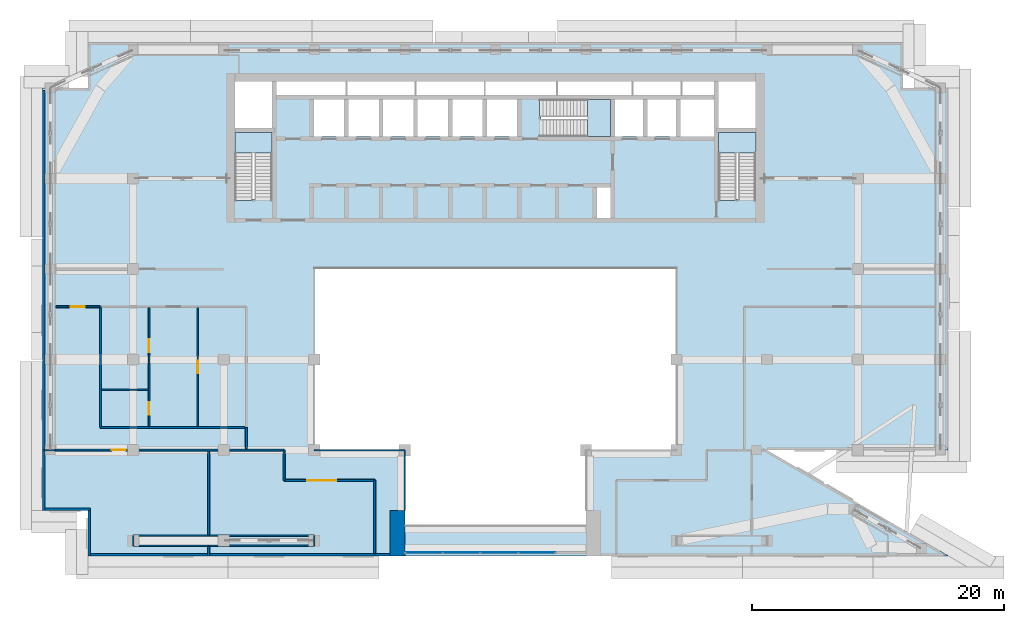
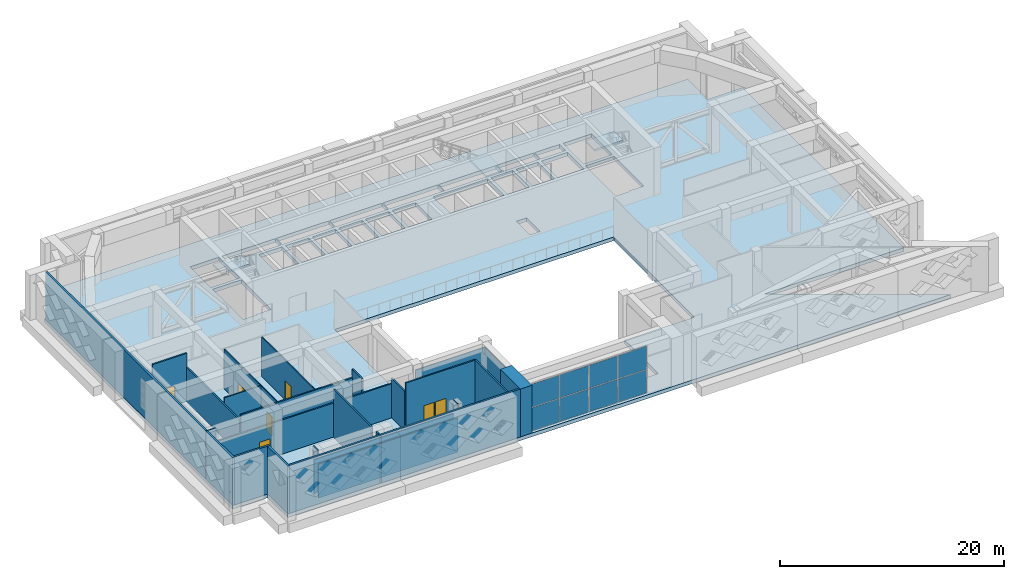
# One storey, part 8 of 20: 25 walls, 8 plates, 7 doors, 4 slabs, 7 openings, 4 elements without a shape of their own.
"""IFC4 building model written with IfcOpenShell, lengths in metres."""

from ifc_helpers import new_model, si_unit, direction, frame, frame_2d, origin, origin_2d, place, context, subcontext, project, spatial, polyline, rectangle, outline, extrude, source, transform, mapped, material, layer, layer_set, type_object, element, fill, aggregate, save


model = new_model("IFC4")

# Units and contexts
model_context = context("Model", 3, precision=1e-05, world=origin(), true_north=direction((0.0, 1.0)))
body_context = subcontext(model_context, "Body", "Model", "MODEL_VIEW")
ifc_project = project(units=[si_unit("LENGTHUNIT", "METRE"), si_unit("AREAUNIT", "SQUARE_METRE"), si_unit("VOLUMEUNIT", "CUBIC_METRE"), si_unit("PLANEANGLEUNIT", "RADIAN"), si_unit("MASSUNIT", "GRAM", prefix="KILO")], contexts=[model_context])

# Site, building, storey
site_placement = place(None, origin())
site = spatial("IfcSite", under=ifc_project, at=site_placement, CompositionType="ELEMENT")
building_placement = place(site_placement, origin())
building = spatial("IfcBuilding", under=site, at=building_placement, Name="Saffron Iwan Residences", CompositionType="ELEMENT")
storey_placement = place(building_placement, frame((0.0, 0.0, 206.0)))
storey = spatial("IfcBuildingStorey", under=building, at=storey_placement, Name="L55", CompositionType="ELEMENT", Elevation=206.0)

# Slab
ifc_material_1 = material(Name="Concrete C40/50", Category="concrete")
ifc_layer_1 = layer(ifc_material_1, 0.39990234375)
ifc_layer_set_1 = layer_set([ifc_layer_1], Name="Concrete C40/50")
slab_type_1 = type_object("IfcSlabType", Name="PT PLATE 400 C40/50", PredefinedType="FLOOR", material=ifc_layer_set_1)
slab_1_placement = place(storey_placement, frame((0.0, 0.0, -0.400146484375)))
element("IfcSlab", 1, at=slab_1_placement, inside=storey, type_object=slab_type_1, Name="Floor slab L55", PredefinedType="FLOOR", context=body_context, shape_type="SweptSolid", body=[
    extrude(outline(polyline([(14.39990234375, 43.199951171875), (14.39990234375, 76.800048828125), (18.0, 76.800048828125), (18.0, 80.39990234375), (82.800048828125, 80.39990234375), (82.800048828125, 76.800048828125), (86.39990234375, 76.800048828125), (86.39990234375, 48.0), (72.0, 48.0), (86.39990234375, 39.60009765625), (18.0, 39.60009765625), (18.0, 43.199951171875), (14.39990234375, 43.199951171875)]), holes=[polyline([(64.800048828125, 48.0), (64.800048828125, 62.39990234375), (36.0, 62.39990234375), (36.0, 48.0), (43.199951171875, 48.0), (43.199951171875, 42.0), (57.60009765625, 42.0), (57.60009765625, 48.0), (64.800048828125, 48.0)]), polyline([(29.699951171875, 73.25), (29.699951171875, 67.949951171875), (29.699951171875, 67.8505859375), (31.10009765625, 67.8505859375), (31.10009765625, 67.949951171875), (32.64990234375, 67.949951171875), (32.64990234375, 73.25), (29.699951171875, 73.25)]), polyline([(38.375, 75.875), (35.97509765625, 75.875), (35.97509765625, 72.925048828125), (38.375, 72.925048828125), (38.375, 75.875)]), polyline([(41.125, 75.875), (38.72509765625, 75.875), (38.72509765625, 72.925048828125), (41.125, 72.925048828125), (41.125, 75.875)]), polyline([(43.875, 72.925048828125), (43.875, 75.875), (41.47509765625, 75.875), (41.47509765625, 72.925048828125), (43.875, 72.925048828125)]), polyline([(46.625, 72.925048828125), (46.625, 75.875), (44.22509765625, 75.875), (44.22509765625, 72.925048828125), (46.625, 72.925048828125)]), polyline([(49.375, 75.875), (46.97509765625, 75.875), (46.97509765625, 72.925048828125), (49.375, 72.925048828125), (49.375, 75.875)]), polyline([(52.125, 72.925048828125), (52.125, 75.875), (49.72509765625, 75.875), (49.72509765625, 72.925048828125), (52.125, 72.925048828125)]), polyline([(32.64990234375, 73.60009765625), (32.64990234375, 77.300048828125), (29.699951171875, 77.300048828125), (29.699951171875, 73.60009765625), (32.64990234375, 73.60009765625)]), polyline([(38.5, 77.300048828125), (33.0, 77.300048828125), (33.0, 76.22509765625), (38.5, 76.22509765625), (38.5, 77.300048828125)]), polyline([(44.0, 76.22509765625), (44.0, 77.300048828125), (38.60009765625, 77.300048828125), (38.60009765625, 76.22509765625), (44.0, 76.22509765625)]), polyline([(49.5, 76.22509765625), (49.5, 77.300048828125), (44.10009765625, 77.300048828125), (44.10009765625, 76.22509765625), (49.5, 76.22509765625)]), polyline([(59.550048828125, 68.875), (58.47509765625, 68.875), (58.47509765625, 66.449951171875), (59.550048828125, 66.449951171875), (59.550048828125, 68.875)]), polyline([(68.14990234375, 73.25), (68.14990234375, 67.949951171875), (68.14990234375, 67.8505859375), (69.550048828125, 67.8505859375), (69.550048828125, 67.949951171875), (71.10009765625, 67.949951171875), (71.10009765625, 73.25), (68.14990234375, 73.25)]), polyline([(54.02490234375, 74.47509765625), (54.02490234375, 72.925048828125), (59.550048828125, 72.925048828125), (59.550048828125, 75.875), (54.02490234375, 75.875), (53.925537109375, 75.875), (53.925537109375, 74.47509765625), (54.02490234375, 74.47509765625)]), polyline([(62.14990234375, 72.925048828125), (62.14990234375, 75.875), (59.89990234375, 75.875), (59.89990234375, 72.925048828125), (62.14990234375, 72.925048828125)]), polyline([(64.75, 72.925048828125), (64.75, 75.875), (62.5, 75.875), (62.5, 72.925048828125), (64.75, 72.925048828125)]), polyline([(67.800048828125, 75.875), (65.10009765625, 75.875), (65.10009765625, 72.925048828125), (67.800048828125, 72.925048828125), (67.800048828125, 75.875)]), polyline([(71.10009765625, 73.60009765625), (71.10009765625, 77.300048828125), (68.14990234375, 77.300048828125), (68.14990234375, 73.60009765625), (71.10009765625, 73.60009765625)]), polyline([(55.25, 76.22509765625), (55.25, 77.300048828125), (49.60009765625, 77.300048828125), (49.60009765625, 76.22509765625), (55.25, 76.22509765625)]), polyline([(61.25, 77.300048828125), (55.35009765625, 77.300048828125), (55.35009765625, 76.22509765625), (61.25, 76.22509765625), (61.25, 77.300048828125)]), polyline([(65.14990234375, 76.22509765625), (65.14990234375, 77.300048828125), (61.35009765625, 77.300048828125), (61.35009765625, 76.22509765625), (65.14990234375, 76.22509765625)]), polyline([(67.800048828125, 76.22509765625), (67.800048828125, 77.300048828125), (65.25, 77.300048828125), (65.25, 76.22509765625), (67.800048828125, 76.22509765625)])]), origin(), (0.0, 0.0, 1.0), 0.400146484375),
])

# Stair, slab
ifc_material_2 = material(Name="Concrete C50/60", Category="concrete")
stair_type = type_object("IfcStairType", Name="Stair ST-CORE", PredefinedType="HALF_TURN_STAIR", material=ifc_material_2)
stair_1_placement = place(storey_placement, origin())
stair_1 = element("IfcStair", 2, at=stair_1_placement, inside=storey, type_object=stair_type, Name="L55 Exit Stair ST-W", PredefinedType="HALF_TURN_STAIR")
ifc_layer_2 = layer(ifc_material_2, 0.199951171875)
ifc_layer_set_2 = layer_set([ifc_layer_2], Name="Concrete C50/60")
slab_type_2 = type_object("IfcSlabType", Name="Stair landing SL-RC", PredefinedType="LANDING", material=ifc_layer_set_2)
slab_2_placement = place(storey_placement, frame((0.0, 0.0, 2.5498046875)))
slab_2 = element("IfcSlab", 3, at=slab_2_placement, type_object=slab_type_2, Name="ST-W landing 1", PredefinedType="LANDING", context=body_context, shape_type="SweptSolid", body=[
    extrude(outline(polyline([(32.64990234375, 71.6298828125), (32.64990234375, 73.25), (29.699951171875, 73.25), (29.699951171875, 71.6298828125), (32.64990234375, 71.6298828125)])), origin(), (0.0, 0.0, 1.0), 0.2001953125),
])
aggregate(stair_1, [slab_2])

stair_2_placement = place(storey_placement, origin())
stair_2 = element("IfcStair", 4, at=stair_2_placement, inside=storey, type_object=stair_type, Name="L55 Exit Stair ST-C", PredefinedType="HALF_TURN_STAIR")
slab_3_placement = place(storey_placement, frame((0.0, 0.0, 2.5498046875)))
slab_3 = element("IfcSlab", 5, at=slab_3_placement, type_object=slab_type_2, Name="ST-C landing 1", PredefinedType="LANDING", context=body_context, shape_type="SweptSolid", body=[
    extrude(outline(polyline([(57.705078125, 72.925048828125), (59.550048828125, 72.925048828125), (59.550048828125, 75.875), (57.705078125, 75.875), (57.705078125, 72.925048828125)])), origin(), (0.0, 0.0, 1.0), 0.2001953125),
])
aggregate(stair_2, [slab_3])

stair_3_placement = place(storey_placement, origin())
stair_3 = element("IfcStair", 6, at=stair_3_placement, inside=storey, type_object=stair_type, Name="L55 Exit Stair ST-E", PredefinedType="HALF_TURN_STAIR")
slab_4_placement = place(storey_placement, frame((0.0, 0.0, 2.5498046875)))
slab_4 = element("IfcSlab", 7, at=slab_4_placement, type_object=slab_type_2, Name="ST-E landing 1", PredefinedType="LANDING", context=body_context, shape_type="SweptSolid", body=[
    extrude(outline(polyline([(71.10009765625, 71.6298828125), (71.10009765625, 73.25), (68.14990234375, 73.25), (68.14990234375, 71.6298828125), (71.10009765625, 71.6298828125)])), origin(), (0.0, 0.0, 1.0), 0.2001953125),
])
aggregate(stair_3, [slab_4])

# Curtain wall, plates
ifc_material_3 = material(Name="Clear glass, laminated double glazed", Category="glass")
ifc_layer_3 = layer(ifc_material_3, 0.199951171875)
ifc_layer_set_3 = layer_set([ifc_layer_3], Name="Clear glass, laminated double glazed")
curtain_wall_type = type_object("IfcCurtainWallType", Name="CW-B IWAN PORTAL", PredefinedType="NOTDEFINED", material=ifc_layer_set_3)
curtain_wall_placement = place(storey_placement, origin())
curtain_wall = element("IfcCurtainWall", 8, at=curtain_wall_placement, inside=storey, type_object=curtain_wall_type, Name="Iwan portal glazing L55.1", PredefinedType="NOTDEFINED")
ifc_layer_4 = layer(ifc_material_3, 0.028076171875)
ifc_layer_set_4 = layer_set([ifc_layer_4], Name="Clear glass, laminated double glazed")
plate_type = type_object("IfcPlateType", Name="CW-B PANEL 28", PredefinedType="CURTAIN_PANEL", material=ifc_layer_set_4)
shared_shape_1 = source(origin(), body_context, "Body", "SweptSolid", [
    extrude(rectangle(XDim=2.909912109375, YDim=0.028076171875, at=origin_2d()), origin(), (0.0, 0.0, 1.0), 2.52001953125),
])
plate_1_placement = place(storey_placement, frame((44.715087890625, 39.85009765625, 0.06005859375), z_axis=(0.0, 0.0, 1.0), x_axis=(1.0, 0.0, 0.0)))
plate_1 = element("IfcPlate", 9, at=plate_1_placement, type_object=plate_type, Name="CW-B panel 1.1", PredefinedType="CURTAIN_PANEL", context=body_context, shape_type="MappedRepresentation", body=[
    mapped(shared_shape_1, transform((0.0, 0.0, 0.0))),
])
plate_2_placement = place(storey_placement, frame((44.715087890625, 39.85009765625, 2.639892578125), z_axis=(0.0, 0.0, 1.0), x_axis=(1.0, 0.0, 0.0)))
plate_2 = element("IfcPlate", 10, at=plate_2_placement, type_object=plate_type, Name="CW-B panel 1.2", PredefinedType="CURTAIN_PANEL", context=body_context, shape_type="MappedRepresentation", body=[
    mapped(shared_shape_1, transform((0.0, 0.0, 0.0))),
])
plate_3_placement = place(storey_placement, frame((53.68505859375, 39.85009765625, 0.06005859375), z_axis=(0.0, 0.0, 1.0), x_axis=(1.0, 0.0, 0.0)))
plate_3 = element("IfcPlate", 11, at=plate_3_placement, type_object=plate_type, Name="CW-B panel 4.1", PredefinedType="CURTAIN_PANEL", context=body_context, shape_type="MappedRepresentation", body=[
    mapped(shared_shape_1, transform((0.0, 0.0, 0.0))),
])
plate_4_placement = place(storey_placement, frame((53.68505859375, 39.85009765625, 2.639892578125), z_axis=(0.0, 0.0, 1.0), x_axis=(1.0, 0.0, 0.0)))
plate_4 = element("IfcPlate", 12, at=plate_4_placement, type_object=plate_type, Name="CW-B panel 4.2", PredefinedType="CURTAIN_PANEL", context=body_context, shape_type="MappedRepresentation", body=[
    mapped(shared_shape_1, transform((0.0, 0.0, 0.0))),
])
shared_shape_2 = source(origin(), body_context, "Body", "SweptSolid", [
    extrude(rectangle(XDim=2.93994140625, YDim=0.028076171875, at=origin_2d()), origin(), (0.0, 0.0, 1.0), 2.52001953125),
])
plate_5_placement = place(storey_placement, frame((47.699951171875, 39.85009765625, 0.06005859375), z_axis=(0.0, 0.0, 1.0), x_axis=(1.0, 0.0, 0.0)))
plate_5 = element("IfcPlate", 13, at=plate_5_placement, type_object=plate_type, Name="CW-B panel 2.1", PredefinedType="CURTAIN_PANEL", context=body_context, shape_type="MappedRepresentation", body=[
    mapped(shared_shape_2, transform((0.0, 0.0, 0.0))),
])
plate_6_placement = place(storey_placement, frame((47.699951171875, 39.85009765625, 2.639892578125), z_axis=(0.0, 0.0, 1.0), x_axis=(1.0, 0.0, 0.0)))
plate_6 = element("IfcPlate", 14, at=plate_6_placement, type_object=plate_type, Name="CW-B panel 2.2", PredefinedType="CURTAIN_PANEL", context=body_context, shape_type="MappedRepresentation", body=[
    mapped(shared_shape_2, transform((0.0, 0.0, 0.0))),
])
plate_7_placement = place(storey_placement, frame((50.699951171875, 39.85009765625, 0.06005859375), z_axis=(0.0, 0.0, 1.0), x_axis=(1.0, 0.0, 0.0)))
plate_7 = element("IfcPlate", 15, at=plate_7_placement, type_object=plate_type, Name="CW-B panel 3.1", PredefinedType="CURTAIN_PANEL", context=body_context, shape_type="MappedRepresentation", body=[
    mapped(shared_shape_2, transform((0.0, 0.0, 0.0))),
])
plate_8_placement = place(storey_placement, frame((50.699951171875, 39.85009765625, 2.639892578125), z_axis=(0.0, 0.0, 1.0), x_axis=(1.0, 0.0, 0.0)))
plate_8 = element("IfcPlate", 16, at=plate_8_placement, type_object=plate_type, Name="CW-B panel 3.2", PredefinedType="CURTAIN_PANEL", context=body_context, shape_type="MappedRepresentation", body=[
    mapped(shared_shape_2, transform((0.0, 0.0, 0.0))),
])
aggregate(curtain_wall, [plate_1, plate_2, plate_5, plate_6, plate_7, plate_8, plate_3, plate_4])

# Wall, openings, doors
ifc_material_4 = material(Name="Concrete blockwork", Category="masonry")
ifc_layer_5 = layer(ifc_material_4, 0.14990234375)
ifc_layer_set_5 = layer_set([ifc_layer_5], Name="Concrete blockwork")
wall_type_1 = type_object("IfcWallType", Name="Blockwork partition 150", PredefinedType="PARTITIONING", material=ifc_layer_set_5)
wall_1_placement = place(storey_placement, frame((33.60009765625, 45.60009765625, 0.0), z_axis=(0.0, 0.0, 1.0), x_axis=(1.0, 0.0, 0.0)))
wall_1 = element("IfcWall", 17, at=wall_1_placement, inside=storey, type_object=wall_type_1, Name="W-L55-006", PredefinedType="PARTITIONING", context=body_context, shape_type="SweptSolid", body=[
    extrude(rectangle(XDim=7.199951171875, YDim=0.14990234375, at=frame_2d((3.60009765625, 0.0))), origin(), (0.0, 0.0, 1.0), 5.219970703125),
])
opening_1_placement = place(wall_1_placement, frame((3.050048828125, 0.0, 0.0)))
opening_1 = element("IfcOpeningElement", 18, at=opening_1_placement, cuts=wall_1, Name="Opening L55.04", PredefinedType="OPENING", context=body_context, shape_type="SweptSolid", body=[
    extrude(rectangle(XDim=1.10009765625, YDim=2.10009765625, at=frame_2d((0.550048828125, 1.050048828125))), frame((0.0, 0.0849609375, 0.0), z_axis=(0.0, -1.0, 0.0), x_axis=(1.0, 0.0, 0.0)), (0.0, 0.0, 1.0), 0.169921875),
])
opening_2_placement = place(wall_1_placement, frame((1.85009765625, 0.0, 0.0)))
opening_2 = element("IfcOpeningElement", 19, at=opening_2_placement, cuts=wall_1, Name="Opening L55.05", PredefinedType="OPENING", context=body_context, shape_type="SweptSolid", body=[
    extrude(rectangle(XDim=1.10009765625, YDim=2.10009765625, at=frame_2d((0.550048828125, 1.050048828125))), frame((0.0, 0.0849609375, 0.0), z_axis=(0.0, -1.0, 0.0), x_axis=(1.0, 0.0, 0.0)), (0.0, 0.0, 1.0), 0.169921875),
])
ifc_material_5 = material(Name="Steel", Category="steel")
door_type_1 = type_object("IfcDoorType", Name="Fire door 1100x2100", OperationType="NOTDEFINED", PredefinedType="DOOR", material=ifc_material_5)
door_1_placement = place(opening_1_placement, origin())
door_1 = element("IfcDoor", 20, at=door_1_placement, inside=storey, type_object=door_type_1, Name="D-L55-004", OperationType="SINGLE_SWING_RIGHT", OverallHeight=2.10009765625, OverallWidth=1.10009765625, PredefinedType="DOOR", context=body_context, shape_type="SweptSolid", body=[
    extrude(rectangle(XDim=1.10009765625, YDim=2.10009765625, at=frame_2d((0.550048828125, 1.050048828125))), frame((0.0, 0.02490234375, 0.0), z_axis=(0.0, -1.0, 0.0), x_axis=(1.0, 0.0, 0.0)), (0.0, 0.0, 1.0), 0.050048828125),
])
fill(opening_1, door_1)
door_2_placement = place(opening_2_placement, origin())
door_2 = element("IfcDoor", 21, at=door_2_placement, inside=storey, type_object=door_type_1, Name="D-L55-005", OperationType="SINGLE_SWING_LEFT", OverallHeight=2.10009765625, OverallWidth=1.10009765625, PredefinedType="DOOR", context=body_context, shape_type="SweptSolid", body=[
    extrude(rectangle(XDim=1.10009765625, YDim=2.10009765625, at=frame_2d((0.550048828125, 1.050048828125))), frame((0.0, 0.02490234375, 0.0), z_axis=(0.0, -1.0, 0.0), x_axis=(1.0, 0.0, 0.0)), (0.0, 0.0, 1.0), 0.050048828125),
])
fill(opening_2, door_2)

# Wall, opening, door
wall_2_placement = place(storey_placement, frame((15.39990234375, 48.0, 0.0), z_axis=(0.0, 0.0, 1.0), x_axis=(1.0, 0.0, 0.0)))
wall_2 = element("IfcWall", 22, at=wall_2_placement, inside=storey, type_object=wall_type_1, Name="W-L55-011", PredefinedType="PARTITIONING", context=body_context, shape_type="SweptSolid", body=[
    extrude(rectangle(XDim=18.2001953125, YDim=0.14990234375, at=frame_2d((9.10009765625, 0.0))), origin(), (0.0, 0.0, 1.0), 3.719970703125),
])
opening_3_placement = place(wall_2_placement, frame((4.5, 0.0, 0.0)))
opening_3 = element("IfcOpeningElement", 23, at=opening_3_placement, cuts=wall_2, Name="Opening L55.11", PredefinedType="OPENING", context=body_context, shape_type="SweptSolid", body=[
    extrude(rectangle(XDim=1.10009765625, YDim=2.10009765625, at=frame_2d((0.550048828125, 1.050048828125))), frame((0.0, 0.0849609375, 0.0), z_axis=(0.0, -1.0, 0.0), x_axis=(1.0, 0.0, 0.0)), (0.0, 0.0, 1.0), 0.169921875),
])
door_3_placement = place(opening_3_placement, origin())
door_3 = element("IfcDoor", 24, at=door_3_placement, inside=storey, type_object=door_type_1, Name="D-L55-011", OperationType="SINGLE_SWING_LEFT", OverallHeight=2.10009765625, OverallWidth=1.10009765625, PredefinedType="DOOR", context=body_context, shape_type="SweptSolid", body=[
    extrude(rectangle(XDim=1.10009765625, YDim=2.10009765625, at=frame_2d((0.550048828125, 1.050048828125))), frame((0.0, 0.02490234375, 0.0), z_axis=(0.0, -1.0, 0.0), x_axis=(1.0, 0.0, 0.0)), (0.0, 0.0, 1.0), 0.050048828125),
])
fill(opening_3, door_3)

# Wall
wall_3_placement = place(storey_placement, frame((19.0, 49.800048828125, 0.0), z_axis=(0.0, 0.0, 1.0), x_axis=(1.0, 0.0, 0.0)))
element("IfcWall", 25, at=wall_3_placement, inside=storey, type_object=wall_type_1, Name="W-L55-013", PredefinedType="PARTITIONING", context=body_context, shape_type="SweptSolid", body=[
    extrude(rectangle(XDim=11.60009765625, YDim=0.14990234375, at=frame_2d((5.800048828125, 0.0))), origin(), (0.0, 0.0, 1.0), 4.320068359375),
])

# Wall, opening, door
wall_4_placement = place(storey_placement, frame((15.449951171875, 59.39990234375, 0.0), z_axis=(0.0, 0.0, 1.0), x_axis=(1.0, 0.0, 0.0)))
wall_4 = element("IfcWall", 26, at=wall_4_placement, inside=storey, type_object=wall_type_1, Name="W-L55-016", PredefinedType="PARTITIONING", context=body_context, shape_type="SweptSolid", body=[
    extrude(rectangle(XDim=3.550048828125, YDim=0.14990234375, at=frame_2d((1.77490234375, 0.0))), origin(), (0.0, 0.0, 1.0), 5.219970703125),
])
opening_4_placement = place(wall_4_placement, frame((1.199951171875, 0.0, 0.0)))
opening_4 = element("IfcOpeningElement", 27, at=opening_4_placement, cuts=wall_4, Name="Opening L55.06", PredefinedType="OPENING", context=body_context, shape_type="SweptSolid", body=[
    extrude(rectangle(XDim=1.10009765625, YDim=2.10009765625, at=frame_2d((0.550048828125, 1.050048828125))), frame((0.0, 0.0849609375, 0.0), z_axis=(0.0, -1.0, 0.0), x_axis=(1.0, 0.0, 0.0)), (0.0, 0.0, 1.0), 0.169921875),
])
door_4_placement = place(opening_4_placement, origin())
door_4 = element("IfcDoor", 28, at=door_4_placement, inside=storey, type_object=door_type_1, Name="D-L55-006", OperationType="SINGLE_SWING_LEFT", OverallHeight=2.10009765625, OverallWidth=1.10009765625, PredefinedType="DOOR", context=body_context, shape_type="SweptSolid", body=[
    extrude(rectangle(XDim=1.10009765625, YDim=2.10009765625, at=frame_2d((0.550048828125, 1.050048828125))), frame((0.0, 0.02490234375, 0.0), z_axis=(0.0, -1.0, 0.0), x_axis=(1.0, 0.0, 0.0)), (0.0, 0.0, 1.0), 0.050048828125),
])
fill(opening_4, door_4)

# Walls
wall_5_placement = place(storey_placement, frame((19.0, 49.800048828125, 0.0), z_axis=(0.0, 0.0, 1.0), x_axis=(0.0, 1.0, 0.0)))
element("IfcWall", 29, at=wall_5_placement, inside=storey, type_object=wall_type_1, Name="W-L55-023", PredefinedType="PARTITIONING", context=body_context, shape_type="SweptSolid", body=[
    extrude(rectangle(XDim=9.599853515625, YDim=0.14990234375, at=frame_2d((4.7998046875, 0.0))), origin(), (0.0, 0.0, 1.0), 3.719970703125),
])
wall_6_placement = place(storey_placement, frame((27.60009765625, 39.60009765625, 0.0), z_axis=(0.0, 0.0, 1.0), x_axis=(0.0, 1.0, 0.0)))
element("IfcWall", 30, at=wall_6_placement, inside=storey, type_object=wall_type_1, Name="W-L55-027", PredefinedType="PARTITIONING", context=body_context, shape_type="SweptSolid", body=[
    extrude(rectangle(XDim=0.75, YDim=0.14990234375, at=frame_2d((0.375, 0.0))), origin(), (0.0, 0.0, 1.0), 5.219970703125),
])
wall_7_placement = place(storey_placement, frame((27.60009765625, 41.25, 0.0), z_axis=(0.0, 0.0, 1.0), x_axis=(0.0, 1.0, 0.0)))
element("IfcWall", 31, at=wall_7_placement, inside=storey, type_object=wall_type_1, Name="W-L55-028", PredefinedType="PARTITIONING", context=body_context, shape_type="SweptSolid", body=[
    extrude(rectangle(XDim=6.675048828125, YDim=0.14990234375, at=frame_2d((3.33740234375, 0.0))), origin(), (0.0, 0.0, 1.0), 5.219970703125),
])
wall_8_placement = place(storey_placement, frame((30.60009765625, 48.074951171875, 0.0), z_axis=(0.0, 0.0, 1.0), x_axis=(0.0, 1.0, 0.0)))
element("IfcWall", 32, at=wall_8_placement, inside=storey, type_object=wall_type_1, Name="W-L55-031", PredefinedType="PARTITIONING", context=body_context, shape_type="SweptSolid", body=[
    extrude(rectangle(XDim=1.72509765625, YDim=0.14990234375, at=frame_2d((0.862548828125, 0.0))), origin(), (0.0, 0.0, 1.0), 5.219970703125),
])
wall_9_placement = place(storey_placement, frame((33.60009765625, 45.60009765625, 0.0), z_axis=(0.0, 0.0, 1.0), x_axis=(0.0, 1.0, 0.0)))
element("IfcWall", 33, at=wall_9_placement, inside=storey, type_object=wall_type_1, Name="W-L55-032", PredefinedType="PARTITIONING", context=body_context, shape_type="SweptSolid", body=[
    extrude(rectangle(XDim=2.39990234375, YDim=0.14990234375, at=frame_2d((1.199951171875, 0.0))), origin(), (0.0, 0.0, 1.0), 4.320068359375),
])
wall_10_placement = place(storey_placement, frame((40.800048828125, 39.77001953125, 0.0), z_axis=(0.0, 0.0, 1.0), x_axis=(0.0, 1.0, 0.0)))
element("IfcWall", 34, at=wall_10_placement, inside=storey, type_object=wall_type_1, Name="W-L55-035", PredefinedType="PARTITIONING", context=body_context, shape_type="SweptSolid", body=[
    extrude(rectangle(XDim=5.830078125, YDim=0.14990234375, at=frame_2d((2.9150390625, 0.0))), origin(), (0.0, 0.0, 1.0), 5.219970703125),
])
ifc_layer_6 = layer(ifc_material_1, 0.199951171875)
ifc_layer_set_6 = layer_set([ifc_layer_6], Name="Concrete C40/50")
wall_type_2 = type_object("IfcWallType", Name="EXTERNAL WALL 200", PredefinedType="SOLIDWALL", material=ifc_layer_set_6)
wall_11_placement = place(storey_placement, frame((14.5, 76.60009765625, 0.0), z_axis=(0.0, 0.0, 1.0), x_axis=(0.0, -1.0, 0.0)))
element("IfcWall", 35, at=wall_11_placement, inside=storey, type_object=wall_type_2, Name="External wall L55 F8.0", PredefinedType="SOLIDWALL", context=body_context, shape_type="SweptSolid", body=[
    extrude(rectangle(XDim=33.400146484375, YDim=0.199951171875, at=frame_2d((16.7001953125, 0.0))), origin(), (0.0, 0.0, 1.0), 5.219970703125),
])
for number, where, z_axis, x_axis, name in (
    (36, (14.60009765625, 43.300048828125, 0.0), (0.0, 0.0, 1.0), (1.0, 0.0, 0.0), "External wall L55 F9.0"),
    (37, (18.10009765625, 43.199951171875, 0.0), (0.0, 0.0, 1.0), (0.0, -1.0, 0.0), "External wall L55 F10.0"),
):
    element("IfcWall", number, at=place(storey_placement, frame(where, z_axis=z_axis, x_axis=x_axis)), inside=storey, type_object=wall_type_2, Name=name, PredefinedType="SOLIDWALL", context=body_context, shape_type="SweptSolid", body=[
        extrude(rectangle(XDim=3.599853515625, YDim=0.199951171875, at=frame_2d((1.7998046875, 0.0))), origin(), (0.0, 0.0, 1.0), 5.219970703125),
    ])
wall_12_placement = place(storey_placement, frame((18.199951171875, 39.699951171875, 0.0), z_axis=(0.0, 0.0, 1.0), x_axis=(1.0, 0.0, 0.0)))
element("IfcWall", 38, at=wall_12_placement, inside=storey, type_object=wall_type_2, Name="External wall L55 F11.0", PredefinedType="SOLIDWALL", context=body_context, shape_type="SweptSolid", body=[
    extrude(rectangle(XDim=23.800048828125, YDim=0.199951171875, at=frame_2d((11.89990234375, 0.0))), origin(), (0.0, 0.0, 1.0), 5.219970703125),
])
ifc_material_6 = material(Name="Glass", Category="glass")
ifc_layer_7 = layer(ifc_material_6, 0.10009765625)
ifc_layer_set_7 = layer_set([ifc_layer_7], Name="Glass")
wall_type_3 = type_object("IfcWallType", Name="Glazed screen wall 100", PredefinedType="PARTITIONING", material=ifc_layer_set_7)
for number, where, z_axis, x_axis, name in (
    (39, (21.60009765625, 40.39990234375, 0.0), (0.0, 0.0, 1.0), (1.0, 0.0, 0.0), "W-L55-001"),
    (40, (21.60009765625, 41.199951171875, 0.0), (0.0, 0.0, 1.0), (1.0, 0.0, 0.0), "W-L55-003"),
):
    element("IfcWall", number, at=place(storey_placement, frame(where, z_axis=z_axis, x_axis=x_axis)), inside=storey, type_object=wall_type_3, Name=name, PredefinedType="PARTITIONING", context=body_context, shape_type="SweptSolid", body=[
        extrude(rectangle(XDim=14.39990234375, YDim=0.10009765625, at=frame_2d((7.199951171875, 0.0))), origin(), (0.0, 0.0, 1.0), 3.719970703125),
    ])
wall_13_placement = place(storey_placement, frame((14.39990234375, 48.0, 0.0), z_axis=(0.0, 0.0, 1.0), x_axis=(1.0, 0.0, 0.0)))
element("IfcWall", 41, at=wall_13_placement, inside=storey, type_object=wall_type_3, Name="W-L55-008", PredefinedType="PARTITIONING", context=body_context, shape_type="SweptSolid", body=[
    extrude(rectangle(XDim=1.0, YDim=0.10009765625, at=frame_2d((0.5, 0.0))), origin(), (0.0, 0.0, 1.0), 5.219970703125),
])
wall_14_placement = place(storey_placement, frame((36.0, 48.0, 0.0), z_axis=(0.0, 0.0, 1.0), x_axis=(1.0, 0.0, 0.0)))
element("IfcWall", 42, at=wall_14_placement, inside=storey, type_object=wall_type_3, Name="W-L55-009", PredefinedType="PARTITIONING", context=body_context, shape_type="SweptSolid", body=[
    extrude(rectangle(XDim=7.199951171875, YDim=0.10009765625, at=frame_2d((3.60009765625, 0.0))), origin(), (0.0, 0.0, 1.0), 4.320068359375),
])
for number, where, z_axis, x_axis, name in (
    (43, (21.60009765625, 40.39990234375, 0.0), (0.0, 0.0, 1.0), (0.0, 1.0, 0.0), "W-L55-024"),
    (44, (36.0, 40.39990234375, 0.0), (0.0, 0.0, 1.0), (0.0, 1.0, 0.0), "W-L55-033"),
):
    element("IfcWall", number, at=place(storey_placement, frame(where, z_axis=z_axis, x_axis=x_axis)), inside=storey, type_object=wall_type_3, Name=name, PredefinedType="PARTITIONING", context=body_context, shape_type="SweptSolid", body=[
        extrude(rectangle(XDim=0.800048828125, YDim=0.10009765625, at=frame_2d((0.39990234375, 0.0))), origin(), (0.0, 0.0, 1.0), 5.219970703125),
    ])
wall_15_placement = place(storey_placement, frame((43.199951171875, 43.201904296875, 0.0), z_axis=(0.0, 0.0, 1.0), x_axis=(0.0, 1.0, 0.0)))
element("IfcWall", 45, at=wall_15_placement, inside=storey, type_object=wall_type_3, Name="W-L55-036", PredefinedType="PARTITIONING", context=body_context, shape_type="SweptSolid", body=[
    extrude(rectangle(XDim=4.798095703125, YDim=0.10009765625, at=frame_2d((2.39892578125, 0.0))), origin(), (0.0, 0.0, 1.0), 4.320068359375),
])
ifc_material_7 = material(Name="Plasterboard")
ifc_layer_8 = layer(ifc_material_7, 0.10009765625)
ifc_layer_set_8 = layer_set([ifc_layer_8], Name="Plasterboard")
wall_type_4 = type_object("IfcWallType", Name="Plasterboard partition 100", PredefinedType="PARTITIONING", material=ifc_layer_set_8)
wall_16_placement = place(storey_placement, frame((19.074951171875, 52.800048828125, 0.0), z_axis=(0.0, 0.0, 1.0), x_axis=(1.0, 0.0, 0.0)))
element("IfcWall", 46, at=wall_16_placement, inside=storey, type_object=wall_type_4, Name="W-L55-014", PredefinedType="PARTITIONING", context=body_context, shape_type="SweptSolid", body=[
    extrude(rectangle(XDim=3.741943359375, YDim=0.10009765625, at=frame_2d((1.87109375, 0.0))), origin(), (0.0, 0.0, 1.0), 4.320068359375),
])

# Wall, openings, doors
wall_17_placement = place(storey_placement, frame((22.866943359375, 49.875, 0.0), z_axis=(0.0, 0.0, 1.0), x_axis=(0.0, 1.0, 0.0)))
wall_17 = element("IfcWall", 47, at=wall_17_placement, inside=storey, type_object=wall_type_4, Name="W-L55-025", PredefinedType="PARTITIONING", context=body_context, shape_type="SweptSolid", body=[
    extrude(rectangle(XDim=9.449951171875, YDim=0.10009765625, at=frame_2d((4.72509765625, 0.0))), origin(), (0.0, 0.0, 1.0), 4.320068359375),
])
opening_5_placement = place(wall_17_placement, frame((5.925048828125, 0.0, 0.0)))
opening_5 = element("IfcOpeningElement", 48, at=opening_5_placement, cuts=wall_17, Name="Opening L55.01", PredefinedType="OPENING", context=body_context, shape_type="SweptSolid", body=[
    extrude(rectangle(XDim=1.0, YDim=2.10009765625, at=frame_2d((0.5, 1.050048828125))), frame((0.0, 0.06005859375, 0.0), z_axis=(0.0, -1.0, 0.0), x_axis=(1.0, 0.0, 0.0)), (0.0, 0.0, 1.0), 0.1201171875),
])
opening_6_placement = place(wall_17_placement, frame((0.925048828125, 0.0, 0.0)))
opening_6 = element("IfcOpeningElement", 49, at=opening_6_placement, cuts=wall_17, Name="Opening L55.02", PredefinedType="OPENING", context=body_context, shape_type="SweptSolid", body=[
    extrude(rectangle(XDim=1.0, YDim=2.10009765625, at=frame_2d((0.5, 1.050048828125))), frame((0.0, 0.06005859375, 0.0), z_axis=(0.0, -1.0, 0.0), x_axis=(1.0, 0.0, 0.0)), (0.0, 0.0, 1.0), 0.1201171875),
])
ifc_material_8 = material(Name="Timber", Category="wood")
door_type_2 = type_object("IfcDoorType", Name="Door 1000x2100", OperationType="NOTDEFINED", PredefinedType="DOOR", material=ifc_material_8)
door_5_placement = place(opening_5_placement, origin())
door_5 = element("IfcDoor", 50, at=door_5_placement, inside=storey, type_object=door_type_2, Name="D-L55-001", OperationType="SINGLE_SWING_RIGHT", OverallHeight=2.10009765625, OverallWidth=1.0, PredefinedType="DOOR", context=body_context, shape_type="SweptSolid", body=[
    extrude(rectangle(XDim=1.0, YDim=2.10009765625, at=frame_2d((0.5, 1.050048828125))), frame((0.0, 0.02490234375, 0.0), z_axis=(0.0, -1.0, 0.0), x_axis=(1.0, 0.0, 0.0)), (0.0, 0.0, 1.0), 0.050048828125),
])
fill(opening_5, door_5)
door_6_placement = place(opening_6_placement, origin())
door_6 = element("IfcDoor", 51, at=door_6_placement, inside=storey, type_object=door_type_2, Name="D-L55-002", OperationType="SINGLE_SWING_LEFT", OverallHeight=2.10009765625, OverallWidth=1.0, PredefinedType="DOOR", context=body_context, shape_type="SweptSolid", body=[
    extrude(rectangle(XDim=1.0, YDim=2.10009765625, at=frame_2d((0.5, 1.050048828125))), frame((0.0, 0.02490234375, 0.0), z_axis=(0.0, -1.0, 0.0), x_axis=(1.0, 0.0, 0.0)), (0.0, 0.0, 1.0), 0.050048828125),
])
fill(opening_6, door_6)

# Wall, opening, door
wall_18_placement = place(storey_placement, frame((26.73291015625, 49.875, 0.0), z_axis=(0.0, 0.0, 1.0), x_axis=(0.0, 1.0, 0.0)))
wall_18 = element("IfcWall", 52, at=wall_18_placement, inside=storey, type_object=wall_type_4, Name="W-L55-026", PredefinedType="PARTITIONING", context=body_context, shape_type="SweptSolid", body=[
    extrude(rectangle(XDim=9.449951171875, YDim=0.10009765625, at=frame_2d((4.72509765625, 0.0))), origin(), (0.0, 0.0, 1.0), 4.320068359375),
])
opening_7_placement = place(wall_18_placement, frame((4.22509765625, 0.0, 0.0)))
opening_7 = element("IfcOpeningElement", 53, at=opening_7_placement, cuts=wall_18, Name="Opening L55.03", PredefinedType="OPENING", context=body_context, shape_type="SweptSolid", body=[
    extrude(rectangle(XDim=1.0, YDim=2.10009765625, at=frame_2d((0.5, 1.050048828125))), frame((0.0, 0.06005859375, 0.0), z_axis=(0.0, -1.0, 0.0), x_axis=(1.0, 0.0, 0.0)), (0.0, 0.0, 1.0), 0.1201171875),
])
door_7_placement = place(opening_7_placement, origin())
door_7 = element("IfcDoor", 54, at=door_7_placement, inside=storey, type_object=door_type_2, Name="D-L55-003", OperationType="SINGLE_SWING_LEFT", OverallHeight=2.10009765625, OverallWidth=1.0, PredefinedType="DOOR", context=body_context, shape_type="SweptSolid", body=[
    extrude(rectangle(XDim=1.0, YDim=2.10009765625, at=frame_2d((0.5, 1.050048828125))), frame((0.0, 0.02490234375, 0.0), z_axis=(0.0, -1.0, 0.0), x_axis=(1.0, 0.0, 0.0)), (0.0, 0.0, 1.0), 0.050048828125),
])
fill(opening_7, door_7)

# Wall
ifc_layer_9 = layer(ifc_material_2, 1.199951171875)
ifc_layer_set_9 = layer_set([ifc_layer_9], Name="Concrete C50/60")
wall_type_5 = type_object("IfcWallType", Name="WALL IWAN PIER 1200 C50/60 5220 HIGH", PredefinedType="SHEAR", material=ifc_layer_set_9)
wall_19_placement = place(storey_placement, frame((42.60009765625, 39.60009765625, 0.0), z_axis=(0.0, 0.0, 1.0), x_axis=(0.0, 1.0, 0.0)))
element("IfcWall", 55, at=wall_19_placement, inside=storey, type_object=wall_type_5, Name="IWAN PIER", PredefinedType="SHEAR", context=body_context, shape_type="SweptSolid", body=[
    extrude(rectangle(XDim=3.599853515625, YDim=1.199951171875, at=frame_2d((1.7998046875, 0.0))), origin(), (0.0, 0.0, 1.0), 5.219970703125),
])

save(model, "model.ifc")
